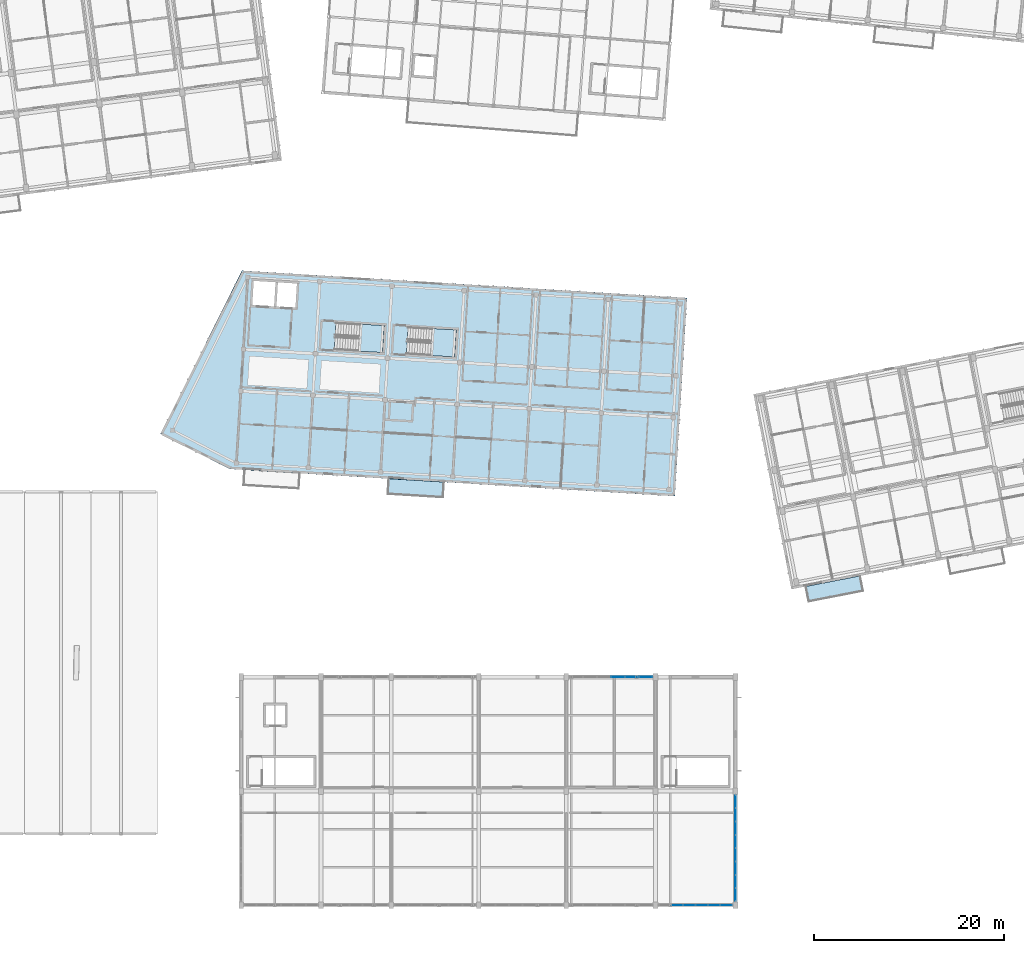
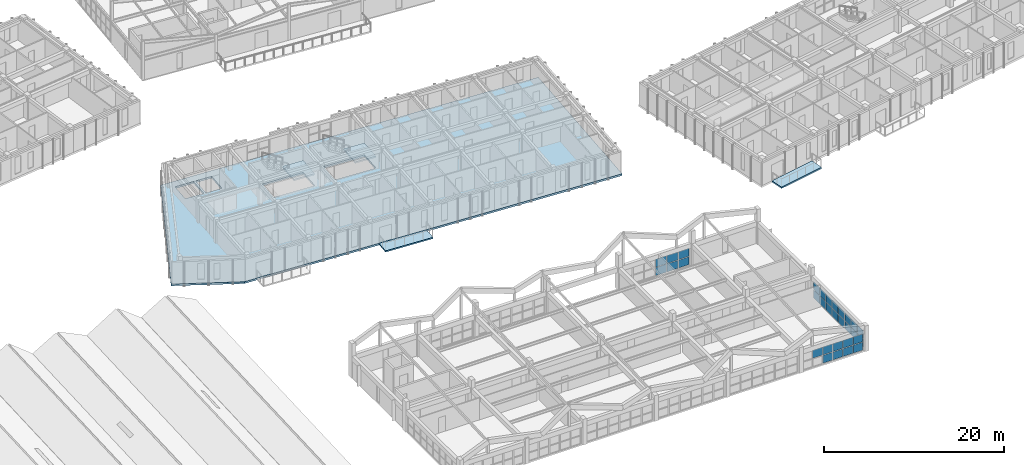
# One storey, part 68 of 127: 31 plates, 5 slabs, 5 elements without a shape of their own.
"""IFC4 building model written with IfcOpenShell, lengths in metres."""

from ifc_helpers import new_model, si_unit, direction, frame, origin, origin_2d, place, context, subcontext, project, spatial, polyline, rectangle, outline, extrude, material, layer, layer_set, type_object, element, aggregate, save


model = new_model("IFC4")

# Units and contexts
model_context = context("Model", 3, precision=1e-05, world=origin(), true_north=direction((0.0, 1.0)))
body_context = subcontext(model_context, "Body", "Model", "MODEL_VIEW")
ifc_project = project(units=[si_unit("LENGTHUNIT", "METRE"), si_unit("AREAUNIT", "SQUARE_METRE"), si_unit("VOLUMEUNIT", "CUBIC_METRE"), si_unit("PLANEANGLEUNIT", "RADIAN"), si_unit("MASSUNIT", "GRAM", prefix="KILO")], contexts=[model_context])

# Site, building, storey
site_placement = place(None, origin())
site = spatial("IfcSite", under=ifc_project, at=site_placement, CompositionType="ELEMENT")
building_placement = place(site_placement, origin())
building = spatial("IfcBuilding", under=site, at=building_placement, Name="Kestramere Prow Commons", CompositionType="ELEMENT")
storey_placement = place(building_placement, frame((0.0, 0.0, 8.39990234375)))
storey = spatial("IfcBuildingStorey", under=building, at=storey_placement, Name="L02", CompositionType="ELEMENT", Elevation=8.39990234375)

# Curtain wall, plates
ifc_material_1 = material(Name="Anodised Aluminium and Low-E Glass", Category="aluminium")
curtain_wall_type_1 = type_object("IfcCurtainWallType", Name="CW-31 Glazed Curtain Wall 8800x2340", PredefinedType="USERDEFINED", material=ifc_material_1)
curtain_wall_1_placement = place(storey_placement, origin())
curtain_wall_1 = element("IfcCurtainWall", 1, at=curtain_wall_1_placement, inside=storey, type_object=curtain_wall_type_1, Name="Market L02 Courtyard Shopfront 5", ObjectType="GLAZED CURTAIN WALL", PredefinedType="USERDEFINED")
ifc_material_2 = material(Name="Low-E Laminated Double Glazing", Category="glass")
ifc_layer_1 = layer(ifc_material_2, 0.028076171875)
ifc_layer_set_1 = layer_set([ifc_layer_1], Name="Low-E Laminated Double Glazing")
plate_type = type_object("IfcPlateType", Name="CW-PNL-28", PredefinedType="CURTAIN_PANEL", material=ifc_layer_set_1)
plate_1_placement = place(storey_placement, frame((99.63330078125, 24.0, 0.06494140625), z_axis=(0.0, 0.0, 1.0), x_axis=(1.0, 0.0, 0.0)))
plate_1 = element("IfcPlate", 2, at=plate_1_placement, type_object=plate_type, Name="CW-31 panel 4.1", PredefinedType="CURTAIN_PANEL", context=body_context, shape_type="SweptSolid", body=[
    extrude(rectangle(XDim=1.401611328125, YDim=0.028076171875, at=origin_2d()), origin(), (0.0, 0.0, 1.0), 1.072509765625),
])
plate_2_placement = place(storey_placement, frame((99.63330078125, 24.0, 1.20263671875), z_axis=(0.0, 0.0, 1.0), x_axis=(1.0, 0.0, 0.0)))
plate_2 = element("IfcPlate", 3, at=plate_2_placement, type_object=plate_type, Name="CW-31 panel 4.2", PredefinedType="CURTAIN_PANEL", context=body_context, shape_type="SweptSolid", body=[
    extrude(rectangle(XDim=1.401611328125, YDim=0.028076171875, at=origin_2d()), origin(), (0.0, 0.0, 1.0), 1.072509765625),
])
plate_3_placement = place(storey_placement, frame((101.10009765625, 24.0, 0.06494140625), z_axis=(0.0, 0.0, 1.0), x_axis=(1.0, 0.0, 0.0)))
plate_3 = element("IfcPlate", 4, at=plate_3_placement, type_object=plate_type, Name="CW-31 panel 5.1", PredefinedType="CURTAIN_PANEL", context=body_context, shape_type="SweptSolid", body=[
    extrude(rectangle(XDim=1.401611328125, YDim=0.028076171875, at=origin_2d()), origin(), (0.0, 0.0, 1.0), 1.072509765625),
])
plate_4_placement = place(storey_placement, frame((101.10009765625, 24.0, 1.20263671875), z_axis=(0.0, 0.0, 1.0), x_axis=(1.0, 0.0, 0.0)))
plate_4 = element("IfcPlate", 5, at=plate_4_placement, type_object=plate_type, Name="CW-31 panel 5.2", PredefinedType="CURTAIN_PANEL", context=body_context, shape_type="SweptSolid", body=[
    extrude(rectangle(XDim=1.401611328125, YDim=0.028076171875, at=origin_2d()), origin(), (0.0, 0.0, 1.0), 1.072509765625),
])
plate_5_placement = place(storey_placement, frame((102.550537109375, 24.0, 0.06494140625), z_axis=(0.0, 0.0, 1.0), x_axis=(1.0, 0.0, 0.0)))
plate_5 = element("IfcPlate", 6, at=plate_5_placement, type_object=plate_type, Name="CW-31 panel 6.1", PredefinedType="CURTAIN_PANEL", context=body_context, shape_type="SweptSolid", body=[
    extrude(rectangle(XDim=1.369140625, YDim=0.028076171875, at=origin_2d()), origin(), (0.0, 0.0, 1.0), 1.072509765625),
])
plate_6_placement = place(storey_placement, frame((102.550537109375, 24.0, 1.20263671875), z_axis=(0.0, 0.0, 1.0), x_axis=(1.0, 0.0, 0.0)))
plate_6 = element("IfcPlate", 7, at=plate_6_placement, type_object=plate_type, Name="CW-31 panel 6.2", PredefinedType="CURTAIN_PANEL", context=body_context, shape_type="SweptSolid", body=[
    extrude(rectangle(XDim=1.369140625, YDim=0.028076171875, at=origin_2d()), origin(), (0.0, 0.0, 1.0), 1.072509765625),
])
aggregate(curtain_wall_1, [plate_1, plate_2, plate_3, plate_4, plate_5, plate_6])

curtain_wall_type_2 = type_object("IfcCurtainWallType", Name="CW-28 Glazed Curtain Wall 7800x2340", PredefinedType="USERDEFINED", material=ifc_material_1)
curtain_wall_2_placement = place(storey_placement, origin())
curtain_wall_2 = element("IfcCurtainWall", 8, at=curtain_wall_2_placement, inside=storey, type_object=curtain_wall_type_2, Name="Market L02 South Shopfront 6", ObjectType="GLAZED CURTAIN WALL", PredefinedType="USERDEFINED")
plate_7_placement = place(storey_placement, frame((111.03369140625, 0.0, 0.06494140625), z_axis=(0.0, 0.0, 1.0), x_axis=(-1.0, 0.0, 0.0)))
plate_7 = element("IfcPlate", 9, at=plate_7_placement, type_object=plate_type, Name="CW-28 panel 1.1", PredefinedType="CURTAIN_PANEL", context=body_context, shape_type="SweptSolid", body=[
    extrude(rectangle(XDim=1.202392578125, YDim=0.028076171875, at=origin_2d()), origin(), (0.0, 0.0, 1.0), 1.072509765625),
])
plate_8_placement = place(storey_placement, frame((111.03369140625, 0.0, 1.20263671875), z_axis=(0.0, 0.0, 1.0), x_axis=(-1.0, 0.0, 0.0)))
plate_8 = element("IfcPlate", 10, at=plate_8_placement, type_object=plate_type, Name="CW-28 panel 1.2", PredefinedType="CURTAIN_PANEL", context=body_context, shape_type="SweptSolid", body=[
    extrude(rectangle(XDim=1.202392578125, YDim=0.028076171875, at=origin_2d()), origin(), (0.0, 0.0, 1.0), 1.072509765625),
])
plate_9_placement = place(storey_placement, frame((109.75, 0.0, 0.06494140625), z_axis=(0.0, 0.0, 1.0), x_axis=(-1.0, 0.0, 0.0)))
plate_9 = element("IfcPlate", 11, at=plate_9_placement, type_object=plate_type, Name="CW-28 panel 2.1", PredefinedType="CURTAIN_PANEL", context=body_context, shape_type="SweptSolid", body=[
    extrude(rectangle(XDim=1.235107421875, YDim=0.028076171875, at=origin_2d()), origin(), (0.0, 0.0, 1.0), 1.072509765625),
])
plate_10_placement = place(storey_placement, frame((109.75, 0.0, 1.20263671875), z_axis=(0.0, 0.0, 1.0), x_axis=(-1.0, 0.0, 0.0)))
plate_10 = element("IfcPlate", 12, at=plate_10_placement, type_object=plate_type, Name="CW-28 panel 2.2", PredefinedType="CURTAIN_PANEL", context=body_context, shape_type="SweptSolid", body=[
    extrude(rectangle(XDim=1.235107421875, YDim=0.028076171875, at=origin_2d()), origin(), (0.0, 0.0, 1.0), 1.072509765625),
])
plate_11_placement = place(storey_placement, frame((108.449951171875, 0.0, 0.06494140625), z_axis=(0.0, 0.0, 1.0), x_axis=(-1.0, 0.0, 0.0)))
plate_11 = element("IfcPlate", 13, at=plate_11_placement, type_object=plate_type, Name="CW-28 panel 3.1", PredefinedType="CURTAIN_PANEL", context=body_context, shape_type="SweptSolid", body=[
    extrude(rectangle(XDim=1.235107421875, YDim=0.028076171875, at=origin_2d()), origin(), (0.0, 0.0, 1.0), 1.072509765625),
])
plate_12_placement = place(storey_placement, frame((108.449951171875, 0.0, 1.20263671875), z_axis=(0.0, 0.0, 1.0), x_axis=(-1.0, 0.0, 0.0)))
plate_12 = element("IfcPlate", 14, at=plate_12_placement, type_object=plate_type, Name="CW-28 panel 3.2", PredefinedType="CURTAIN_PANEL", context=body_context, shape_type="SweptSolid", body=[
    extrude(rectangle(XDim=1.235107421875, YDim=0.028076171875, at=origin_2d()), origin(), (0.0, 0.0, 1.0), 1.072509765625),
])
plate_13_placement = place(storey_placement, frame((107.14990234375, 0.0, 0.06494140625), z_axis=(0.0, 0.0, 1.0), x_axis=(-1.0, 0.0, 0.0)))
plate_13 = element("IfcPlate", 15, at=plate_13_placement, type_object=plate_type, Name="CW-28 panel 4.1", PredefinedType="CURTAIN_PANEL", context=body_context, shape_type="SweptSolid", body=[
    extrude(rectangle(XDim=1.235107421875, YDim=0.028076171875, at=origin_2d()), origin(), (0.0, 0.0, 1.0), 1.072509765625),
])
plate_14_placement = place(storey_placement, frame((107.14990234375, 0.0, 1.20263671875), z_axis=(0.0, 0.0, 1.0), x_axis=(-1.0, 0.0, 0.0)))
plate_14 = element("IfcPlate", 16, at=plate_14_placement, type_object=plate_type, Name="CW-28 panel 4.2", PredefinedType="CURTAIN_PANEL", context=body_context, shape_type="SweptSolid", body=[
    extrude(rectangle(XDim=1.235107421875, YDim=0.028076171875, at=origin_2d()), origin(), (0.0, 0.0, 1.0), 1.072509765625),
])
plate_15_placement = place(storey_placement, frame((105.85009765625, 0.0, 1.20263671875), z_axis=(0.0, 0.0, 1.0), x_axis=(-1.0, 0.0, 0.0)))
plate_15 = element("IfcPlate", 17, at=plate_15_placement, type_object=plate_type, Name="CW-28 panel 5.2", PredefinedType="CURTAIN_PANEL", context=body_context, shape_type="SweptSolid", body=[
    extrude(rectangle(XDim=1.235107421875, YDim=0.028076171875, at=origin_2d()), origin(), (0.0, 0.0, 1.0), 1.072509765625),
])
aggregate(curtain_wall_2, [plate_7, plate_8, plate_9, plate_10, plate_11, plate_12, plate_13, plate_14, plate_15])

curtain_wall_type_3 = type_object("IfcCurtainWallType", Name="CW-32 Glazed Curtain Wall 11200x2340", PredefinedType="USERDEFINED", material=ifc_material_1)
curtain_wall_3_placement = place(storey_placement, origin())
curtain_wall_3 = element("IfcCurtainWall", 18, at=curtain_wall_3_placement, inside=storey, type_object=curtain_wall_type_3, Name="Market L02 E Glazing", ObjectType="GLAZED CURTAIN WALL", PredefinedType="USERDEFINED")
plate_16_placement = place(storey_placement, frame((112.0, 10.8837890625, 0.06494140625), z_axis=(0.0, 0.0, 1.0), x_axis=(0.0, -1.0, 0.0)))
plate_16 = element("IfcPlate", 19, at=plate_16_placement, type_object=plate_type, Name="CW-32 panel 1.1", PredefinedType="CURTAIN_PANEL", context=body_context, shape_type="SweptSolid", body=[
    extrude(rectangle(XDim=1.302490234375, YDim=0.028076171875, at=origin_2d()), origin(), (0.0, 0.0, 1.0), 1.072509765625),
])
plate_17_placement = place(storey_placement, frame((112.0, 10.8837890625, 1.20263671875), z_axis=(0.0, 0.0, 1.0), x_axis=(0.0, -1.0, 0.0)))
plate_17 = element("IfcPlate", 20, at=plate_17_placement, type_object=plate_type, Name="CW-32 panel 1.2", PredefinedType="CURTAIN_PANEL", context=body_context, shape_type="SweptSolid", body=[
    extrude(rectangle(XDim=1.302490234375, YDim=0.028076171875, at=origin_2d()), origin(), (0.0, 0.0, 1.0), 1.072509765625),
])
plate_18_placement = place(storey_placement, frame((112.0, 9.5, 0.06494140625), z_axis=(0.0, 0.0, 1.0), x_axis=(0.0, -1.0, 0.0)))
plate_18 = element("IfcPlate", 21, at=plate_18_placement, type_object=plate_type, Name="CW-32 panel 2.1", PredefinedType="CURTAIN_PANEL", context=body_context, shape_type="SweptSolid", body=[
    extrude(rectangle(XDim=1.3349609375, YDim=0.028076171875, at=origin_2d()), origin(), (0.0, 0.0, 1.0), 1.072509765625),
])
plate_19_placement = place(storey_placement, frame((112.0, 9.5, 1.20263671875), z_axis=(0.0, 0.0, 1.0), x_axis=(0.0, -1.0, 0.0)))
plate_19 = element("IfcPlate", 22, at=plate_19_placement, type_object=plate_type, Name="CW-32 panel 2.2", PredefinedType="CURTAIN_PANEL", context=body_context, shape_type="SweptSolid", body=[
    extrude(rectangle(XDim=1.3349609375, YDim=0.028076171875, at=origin_2d()), origin(), (0.0, 0.0, 1.0), 1.072509765625),
])
plate_20_placement = place(storey_placement, frame((112.0, 8.10009765625, 0.06494140625), z_axis=(0.0, 0.0, 1.0), x_axis=(0.0, -1.0, 0.0)))
plate_20 = element("IfcPlate", 23, at=plate_20_placement, type_object=plate_type, Name="CW-32 panel 3.1", PredefinedType="CURTAIN_PANEL", context=body_context, shape_type="SweptSolid", body=[
    extrude(rectangle(XDim=1.3349609375, YDim=0.028076171875, at=origin_2d()), origin(), (0.0, 0.0, 1.0), 1.072509765625),
])
plate_21_placement = place(storey_placement, frame((112.0, 8.10009765625, 1.20263671875), z_axis=(0.0, 0.0, 1.0), x_axis=(0.0, -1.0, 0.0)))
plate_21 = element("IfcPlate", 24, at=plate_21_placement, type_object=plate_type, Name="CW-32 panel 3.2", PredefinedType="CURTAIN_PANEL", context=body_context, shape_type="SweptSolid", body=[
    extrude(rectangle(XDim=1.3349609375, YDim=0.028076171875, at=origin_2d()), origin(), (0.0, 0.0, 1.0), 1.072509765625),
])
plate_22_placement = place(storey_placement, frame((112.0, 6.699951171875, 0.06494140625), z_axis=(0.0, 0.0, 1.0), x_axis=(0.0, -1.0, 0.0)))
plate_22 = element("IfcPlate", 25, at=plate_22_placement, type_object=plate_type, Name="CW-32 panel 4.1", PredefinedType="CURTAIN_PANEL", context=body_context, shape_type="SweptSolid", body=[
    extrude(rectangle(XDim=1.3349609375, YDim=0.028076171875, at=origin_2d()), origin(), (0.0, 0.0, 1.0), 1.072509765625),
])
plate_23_placement = place(storey_placement, frame((112.0, 6.699951171875, 1.20263671875), z_axis=(0.0, 0.0, 1.0), x_axis=(0.0, -1.0, 0.0)))
plate_23 = element("IfcPlate", 26, at=plate_23_placement, type_object=plate_type, Name="CW-32 panel 4.2", PredefinedType="CURTAIN_PANEL", context=body_context, shape_type="SweptSolid", body=[
    extrude(rectangle(XDim=1.3349609375, YDim=0.028076171875, at=origin_2d()), origin(), (0.0, 0.0, 1.0), 1.072509765625),
])
plate_24_placement = place(storey_placement, frame((112.0, 5.300048828125, 0.06494140625), z_axis=(0.0, 0.0, 1.0), x_axis=(0.0, -1.0, 0.0)))
plate_24 = element("IfcPlate", 27, at=plate_24_placement, type_object=plate_type, Name="CW-32 panel 5.1", PredefinedType="CURTAIN_PANEL", context=body_context, shape_type="SweptSolid", body=[
    extrude(rectangle(XDim=1.3349609375, YDim=0.028076171875, at=origin_2d()), origin(), (0.0, 0.0, 1.0), 1.072509765625),
])
plate_25_placement = place(storey_placement, frame((112.0, 5.300048828125, 1.20263671875), z_axis=(0.0, 0.0, 1.0), x_axis=(0.0, -1.0, 0.0)))
plate_25 = element("IfcPlate", 28, at=plate_25_placement, type_object=plate_type, Name="CW-32 panel 5.2", PredefinedType="CURTAIN_PANEL", context=body_context, shape_type="SweptSolid", body=[
    extrude(rectangle(XDim=1.3349609375, YDim=0.028076171875, at=origin_2d()), origin(), (0.0, 0.0, 1.0), 1.072509765625),
])
plate_26_placement = place(storey_placement, frame((112.0, 3.89990234375, 0.06494140625), z_axis=(0.0, 0.0, 1.0), x_axis=(0.0, -1.0, 0.0)))
plate_26 = element("IfcPlate", 29, at=plate_26_placement, type_object=plate_type, Name="CW-32 panel 6.1", PredefinedType="CURTAIN_PANEL", context=body_context, shape_type="SweptSolid", body=[
    extrude(rectangle(XDim=1.3349609375, YDim=0.028076171875, at=origin_2d()), origin(), (0.0, 0.0, 1.0), 1.072509765625),
])
plate_27_placement = place(storey_placement, frame((112.0, 3.89990234375, 1.20263671875), z_axis=(0.0, 0.0, 1.0), x_axis=(0.0, -1.0, 0.0)))
plate_27 = element("IfcPlate", 30, at=plate_27_placement, type_object=plate_type, Name="CW-32 panel 6.2", PredefinedType="CURTAIN_PANEL", context=body_context, shape_type="SweptSolid", body=[
    extrude(rectangle(XDim=1.3349609375, YDim=0.028076171875, at=origin_2d()), origin(), (0.0, 0.0, 1.0), 1.072509765625),
])
plate_28_placement = place(storey_placement, frame((112.0, 2.5, 0.06494140625), z_axis=(0.0, 0.0, 1.0), x_axis=(0.0, -1.0, 0.0)))
plate_28 = element("IfcPlate", 31, at=plate_28_placement, type_object=plate_type, Name="CW-32 panel 7.1", PredefinedType="CURTAIN_PANEL", context=body_context, shape_type="SweptSolid", body=[
    extrude(rectangle(XDim=1.3349609375, YDim=0.028076171875, at=origin_2d()), origin(), (0.0, 0.0, 1.0), 1.072509765625),
])
plate_29_placement = place(storey_placement, frame((112.0, 2.5, 1.20263671875), z_axis=(0.0, 0.0, 1.0), x_axis=(0.0, -1.0, 0.0)))
plate_29 = element("IfcPlate", 32, at=plate_29_placement, type_object=plate_type, Name="CW-32 panel 7.2", PredefinedType="CURTAIN_PANEL", context=body_context, shape_type="SweptSolid", body=[
    extrude(rectangle(XDim=1.3349609375, YDim=0.028076171875, at=origin_2d()), origin(), (0.0, 0.0, 1.0), 1.072509765625),
])
plate_30_placement = place(storey_placement, frame((112.0, 1.1162109375, 0.06494140625), z_axis=(0.0, 0.0, 1.0), x_axis=(0.0, -1.0, 0.0)))
plate_30 = element("IfcPlate", 33, at=plate_30_placement, type_object=plate_type, Name="CW-32 panel 8.1", PredefinedType="CURTAIN_PANEL", context=body_context, shape_type="SweptSolid", body=[
    extrude(rectangle(XDim=1.302490234375, YDim=0.028076171875, at=origin_2d()), origin(), (0.0, 0.0, 1.0), 1.072509765625),
])
plate_31_placement = place(storey_placement, frame((112.0, 1.1162109375, 1.20263671875), z_axis=(0.0, 0.0, 1.0), x_axis=(0.0, -1.0, 0.0)))
plate_31 = element("IfcPlate", 34, at=plate_31_placement, type_object=plate_type, Name="CW-32 panel 8.2", PredefinedType="CURTAIN_PANEL", context=body_context, shape_type="SweptSolid", body=[
    extrude(rectangle(XDim=1.302490234375, YDim=0.028076171875, at=origin_2d()), origin(), (0.0, 0.0, 1.0), 1.072509765625),
])
aggregate(curtain_wall_3, [plate_16, plate_17, plate_18, plate_19, plate_20, plate_21, plate_22, plate_23, plate_24, plate_25, plate_26, plate_27, plate_28, plate_29, plate_30, plate_31])

# Slabs
ifc_material_3 = material(Name="Precast concrete C40/50", Category="concrete")
ifc_layer_2 = layer(ifc_material_3, 0.179931640625)
ifc_layer_set_2 = layer_set([ifc_layer_2], Name="Precast concrete C40/50")
slab_type_1 = type_object("IfcSlabType", Name="SL-BALC-180", PredefinedType="FLOOR", material=ifc_layer_set_2)
slab_1_placement = place(storey_placement, frame((0.0, 0.0, -0.179931640625)))
element("IfcSlab", 35, at=slab_1_placement, inside=storey, type_object=slab_type_1, Name="Block C L02 Apartment Balcony Slab 3", PredefinedType="FLOOR", context=body_context, shape_type="SweptSolid", body=[
    extrude(outline(polyline([(75.379638671875, 43.224365234375), (81.2685546875, 42.8642578125), (81.369384765625, 44.51123046875), (75.48046875, 44.871337890625), (75.379638671875, 43.224365234375)])), origin(), (0.0, 0.0, 1.0), 0.179931640625),
])
slab_2_placement = place(storey_placement, frame((0.0, 0.0, -0.179931640625)))
element("IfcSlab", 36, at=slab_2_placement, inside=storey, type_object=slab_type_1, Name="Block D L02 Apartment Balcony Slab 1", PredefinedType="FLOOR", context=body_context, shape_type="SweptSolid", body=[
    extrude(outline(polyline([(119.67333984375, 31.904541015625), (125.46484375, 33.0302734375), (125.14990234375, 34.64990234375), (119.3583984375, 33.524169921875), (119.67333984375, 31.904541015625)])), origin(), (0.0, 0.0, 1.0), 0.179931640625),
])
ifc_layer_3 = layer(ifc_material_3, 0.25)
ifc_layer_set_3 = layer_set([ifc_layer_3], Name="Precast concrete C40/50")
slab_type_2 = type_object("IfcSlabType", Name="SL-HC-250", PredefinedType="FLOOR", material=ifc_layer_set_3)
slab_3_placement = place(storey_placement, frame((0.0, 0.0, -0.25)))
element("IfcSlab", 37, at=slab_3_placement, inside=storey, type_object=slab_type_2, Name="Block C L02 Hollowcore Floor Slab", PredefinedType="FLOOR", context=body_context, shape_type="SweptSolid", body=[
    extrude(outline(polyline([(51.52392578125, 49.5927734375), (58.8115234375, 45.890869140625), (105.6240234375, 43.02783203125), (106.89990234375, 63.888671875), (60.08740234375, 66.751953125), (51.52392578125, 49.5927734375)]), holes=[polyline([(61.168212890625, 63.129150390625), (63.464111328125, 62.98876953125), (63.61962890625, 65.533935546875), (61.323974609375, 65.67431640625), (61.168212890625, 63.129150390625)]), polyline([(63.713623046875, 62.973388671875), (65.709716796875, 62.851318359375), (65.865478515625, 65.396728515625), (63.869140625, 65.518798828125), (63.713623046875, 62.973388671875)]), polyline([(69.79833984375, 58.443603515625), (74.888916015625, 58.13232421875), (75.062744140625, 60.976806640625), (69.972412109375, 61.288330078125), (69.79833984375, 58.443603515625)]), polyline([(77.38427734375, 57.9794921875), (82.474609375, 57.668212890625), (82.648681640625, 60.512939453125), (77.55810546875, 60.82421875), (77.38427734375, 57.9794921875)])]), origin(), (0.0, 0.0, 1.0), 0.25),
])

# Stair, slab
ifc_material_4 = material(Name="Concrete C40/50", Category="concrete")
stair_type = type_object("IfcStairType", Name="ST-DOG-1350", PredefinedType="HALF_TURN_STAIR", material=ifc_material_4)
stair_1_placement = place(storey_placement, origin())
stair_1 = element("IfcStair", 38, at=stair_1_placement, inside=storey, type_object=stair_type, Name="L02 Block C Exit Stair 1", PredefinedType="HALF_TURN_STAIR")
ifc_layer_4 = layer(ifc_material_4, 0.199951171875)
ifc_layer_set_4 = layer_set([ifc_layer_4], Name="Concrete C40/50")
slab_type_3 = type_object("IfcSlabType", Name="SL-ST-LAND-200", PredefinedType="LANDING", material=ifc_layer_set_4)
slab_4_placement = place(storey_placement, frame((0.0, 0.0, 1.425048828125)))
slab_4 = element("IfcSlab", 39, at=slab_4_placement, type_object=slab_type_3, Name="ST-C1 landing 1", PredefinedType="LANDING", context=body_context, shape_type="SweptSolid", body=[
    extrude(outline(polyline([(72.313720703125, 58.289794921875), (74.888916015625, 58.13232421875), (75.062744140625, 60.976806640625), (72.487548828125, 61.134521484375), (72.313720703125, 58.289794921875)])), origin(), (0.0, 0.0, 1.0), 0.199951171875),
])
aggregate(stair_1, [slab_4])

stair_2_placement = place(storey_placement, origin())
stair_2 = element("IfcStair", 40, at=stair_2_placement, inside=storey, type_object=stair_type, Name="L02 Block C Exit Stair 2", PredefinedType="HALF_TURN_STAIR")
slab_5_placement = place(storey_placement, frame((0.0, 0.0, 1.425048828125)))
slab_5 = element("IfcSlab", 41, at=slab_5_placement, type_object=slab_type_3, Name="ST-C2 landing 1", PredefinedType="LANDING", context=body_context, shape_type="SweptSolid", body=[
    extrude(outline(polyline([(79.8994140625, 57.82568359375), (82.474609375, 57.668212890625), (82.648681640625, 60.512939453125), (80.073486328125, 60.67041015625), (79.8994140625, 57.82568359375)])), origin(), (0.0, 0.0, 1.0), 0.199951171875),
])
aggregate(stair_2, [slab_5])

save(model, "model.ifc")
